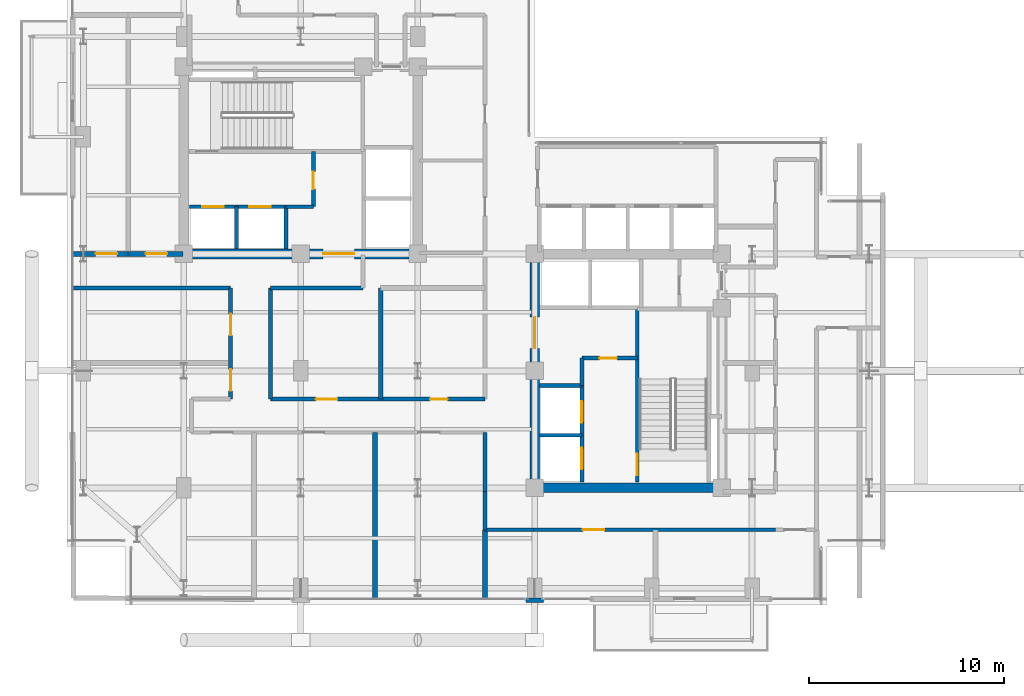
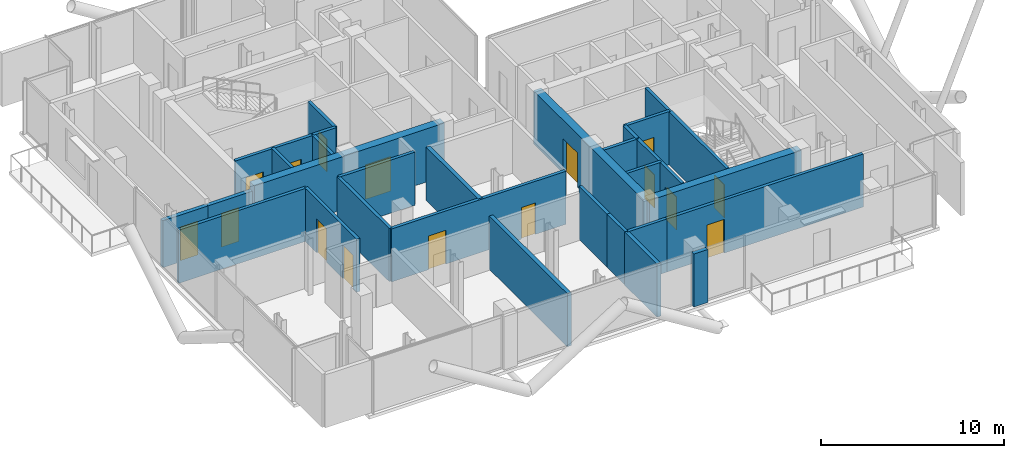
# One storey, part 20 of 26: 29 walls, 16 doors, 16 openings.
"""IFC4 building model written with IfcOpenShell, lengths in metres."""

from ifc_helpers import new_model, si_unit, direction, frame, frame_2d, origin, place, context, subcontext, project, spatial, rectangle, extrude, material, layer, layer_set, type_object, element, fill, save


model = new_model("IFC4")

# Units and contexts
model_context = context("Model", 3, precision=1e-05, world=origin(), true_north=direction((0.0, 1.0)))
body_context = subcontext(model_context, "Body", "Model", "MODEL_VIEW")
ifc_project = project(units=[si_unit("LENGTHUNIT", "METRE"), si_unit("AREAUNIT", "SQUARE_METRE"), si_unit("VOLUMEUNIT", "CUBIC_METRE"), si_unit("PLANEANGLEUNIT", "RADIAN"), si_unit("MASSUNIT", "GRAM", prefix="KILO"), si_unit("THERMODYNAMICTEMPERATUREUNIT", "KELVIN"), si_unit("POWERUNIT", "WATT")], contexts=[model_context])

# Site, building, storey
site_placement = place(None, origin())
site = spatial("IfcSite", under=ifc_project, at=site_placement, CompositionType="ELEMENT")
building_placement = place(site_placement, origin())
building = spatial("IfcBuilding", under=site, at=building_placement, Name="Svarakhadi Broadcast Tower", CompositionType="ELEMENT")
storey_placement = place(building_placement, frame((0.0, 0.0, 184.199951171875)))
storey = spatial("IfcBuildingStorey", under=building, at=storey_placement, Name="L45", CompositionType="ELEMENT", Elevation=184.199951171875)

# Wall
ifc_material_1 = material(Name="Double-Stud Acoustic Studio Partition STC-62", Category="gypsum")
ifc_layer_1 = layer(ifc_material_1, 0.25)
ifc_layer_set_1 = layer_set([ifc_layer_1], Name="Double-Stud Acoustic Studio Partition STC-62")
wall_type_1 = type_object("IfcWallType", Name="Wall_Acoust_250", PredefinedType="PARTITIONING", material=ifc_layer_set_1)
wall_1_placement = place(storey_placement, frame((16.10009765625, 10.550048828125, 0.0), z_axis=(0.0, 0.0, 1.0), x_axis=(0.0, 1.0, 0.0)))
element("IfcWall", 1, at=wall_1_placement, inside=storey, type_object=wall_type_1, Name="L45 Central Review Briefing Pod Wall", PredefinedType="PARTITIONING", context=body_context, shape_type="SweptSolid", body=[
    extrude(rectangle(XDim=5.699951171875, YDim=0.25, at=frame_2d((2.85009765625, 0.0))), origin(), (0.0, 0.0, 1.0), 3.5400390625),
])

# Wall, opening, door
wall_2_placement = place(storey_placement, frame((0.300048828125, 18.0, 0.0), z_axis=(0.0, 0.0, 1.0), x_axis=(1.0, 0.0, 0.0)))
wall_2 = element("IfcWall", 2, at=wall_2_placement, inside=storey, type_object=wall_type_1, Name="L45 Diplomatic Sunset Lounge Wall", PredefinedType="PARTITIONING", context=body_context, shape_type="SweptSolid", body=[
    extrude(rectangle(XDim=2.849853515625, YDim=0.25, at=frame_2d((1.4248046875, 0.0))), origin(), (0.0, 0.0, 1.0), 3.132080078125),
])
opening_1_placement = place(wall_2_placement, frame((1.179931640625, 0.0, 0.0)))
opening_1 = element("IfcOpeningElement", 3, at=opening_1_placement, cuts=wall_2, Name="Opening D-11", PredefinedType="OPENING", context=body_context, shape_type="SweptSolid", body=[
    extrude(rectangle(XDim=1.10009765625, YDim=2.25, at=frame_2d((0.550048828125, 1.125))), frame((0.0, 0.135009765625, 0.0), z_axis=(0.0, -1.0, 0.0), x_axis=(1.0, 0.0, 0.0)), (0.0, 0.0, 1.0), 0.27001953125),
])
ifc_material_2 = material(Name="Solid-Core Teak Veneer Acoustic Timber Leaf", Category="wood")
door_type_1 = type_object("IfcDoorType", Name="Door_Acoust_D11", OperationType="SINGLE_SWING_RIGHT", PredefinedType="DOOR", material=ifc_material_2)
door_1_placement = place(opening_1_placement, origin())
door_1 = element("IfcDoor", 4, at=door_1_placement, inside=storey, type_object=door_type_1, Name="L45 Diplomatic Sunset Lounge Door", OperationType="SINGLE_SWING_RIGHT", OverallHeight=2.25, OverallWidth=1.10009765625, PredefinedType="DOOR", context=body_context, shape_type="SweptSolid", body=[
    extrude(rectangle(XDim=1.10009765625, YDim=2.25, at=frame_2d((0.550048828125, 1.125))), frame((0.0, 0.02490234375, 0.0), z_axis=(0.0, -1.0, 0.0), x_axis=(1.0, 0.0, 0.0)), (0.0, 0.0, 1.0), 0.050048828125),
])
fill(opening_1, door_1)

wall_3_placement = place(storey_placement, frame((3.14990234375, 18.0, 0.0), z_axis=(0.0, 0.0, 1.0), x_axis=(1.0, 0.0, 0.0)))
wall_3 = element("IfcWall", 5, at=wall_3_placement, inside=storey, type_object=wall_type_1, Name="L45 Ambassador Protocol Study Wall", PredefinedType="PARTITIONING", context=body_context, shape_type="SweptSolid", body=[
    extrude(rectangle(XDim=2.800048828125, YDim=0.25, at=frame_2d((1.39990234375, 0.0))), origin(), (0.0, 0.0, 1.0), 3.132080078125),
])
opening_2_placement = place(wall_3_placement, frame((0.89990234375, 0.0, 0.0)))
opening_2 = element("IfcOpeningElement", 6, at=opening_2_placement, cuts=wall_3, Name="Opening D-10", PredefinedType="OPENING", context=body_context, shape_type="SweptSolid", body=[
    extrude(rectangle(XDim=1.10009765625, YDim=2.25, at=frame_2d((0.550048828125, 1.125))), frame((0.0, 0.135009765625, 0.0), z_axis=(0.0, -1.0, 0.0), x_axis=(1.0, 0.0, 0.0)), (0.0, 0.0, 1.0), 0.27001953125),
])
door_type_2 = type_object("IfcDoorType", Name="Door_Acoust_D10", OperationType="SINGLE_SWING_LEFT", PredefinedType="DOOR", material=ifc_material_2)
door_2_placement = place(opening_2_placement, origin())
door_2 = element("IfcDoor", 7, at=door_2_placement, inside=storey, type_object=door_type_2, Name="L45 Ambassador Protocol Study Door", OperationType="SINGLE_SWING_LEFT", OverallHeight=2.25, OverallWidth=1.10009765625, PredefinedType="DOOR", context=body_context, shape_type="SweptSolid", body=[
    extrude(rectangle(XDim=1.10009765625, YDim=2.25, at=frame_2d((0.550048828125, 1.125))), frame((0.0, 0.02490234375, 0.0), z_axis=(0.0, -1.0, 0.0), x_axis=(1.0, 0.0, 0.0)), (0.0, 0.0, 1.0), 0.050048828125),
])
fill(opening_2, door_2)

# Walls
wall_4_placement = place(storey_placement, frame((21.449951171875, 0.300048828125, 0.0), z_axis=(0.0, 0.0, 1.0), x_axis=(0.0, 1.0, 0.0)))
element("IfcWall", 8, at=wall_4_placement, inside=storey, type_object=wall_type_1, Name="L45 Hotel Business Centre Office Wall", PredefinedType="PARTITIONING", context=body_context, shape_type="SweptSolid", body=[
    extrude(rectangle(XDim=3.550048828125, YDim=0.25, at=frame_2d((1.77490234375, 0.0))), origin(), (0.0, 0.0, 1.0), 3.5400390625),
])
wall_5_placement = place(storey_placement, frame((15.800048828125, 0.300048828125, 0.0), z_axis=(0.0, 0.0, 1.0), x_axis=(0.0, 1.0, 0.0)))
element("IfcWall", 9, at=wall_5_placement, inside=storey, type_object=wall_type_1, Name="L45 Hotel Diplomatic Boardroom Wall", PredefinedType="PARTITIONING", context=body_context, shape_type="SweptSolid", body=[
    extrude(rectangle(XDim=8.550048828125, YDim=0.25, at=frame_2d((4.27490234375, 0.0))), origin(), (0.0, 0.0, 1.0), 3.5400390625),
])
ifc_material_3 = material(Name="Concrete C40/50 (IS 456 M50)", Category="concrete")
ifc_layer_2 = layer(ifc_material_3, 0.239990234375)
ifc_layer_set_2 = layer_set([ifc_layer_2], Name="Concrete C40/50 (IS 456 M50)")
wall_type_2 = type_object("IfcWallType", Name="Wall_Ext_240", PredefinedType="SOLIDWALL", material=ifc_layer_set_2)
wall_6_placement = place(storey_placement, frame((24.43994140625, 0.239990234375, 0.0), z_axis=(0.0, 0.0, 1.0), x_axis=(-1.0, 0.0, 0.0)))
element("IfcWall", 10, at=wall_6_placement, inside=storey, type_object=wall_type_2, Name="L45 Perimeter Bronze Spandrel Closure Wall 03", PredefinedType="SOLIDWALL", context=body_context, shape_type="SweptSolid", body=[
    extrude(rectangle(XDim=0.8798828125, YDim=0.239990234375, at=frame_2d((0.43994140625, 0.0))), origin(), (0.0, 0.0, 1.0), 3.5400390625),
])

# Wall, opening, door
ifc_layer_3 = layer(ifc_material_3, 0.199951171875)
ifc_layer_set_3 = layer_set([ifc_layer_3], Name="Concrete C40/50 (IS 456 M50)")
wall_type_3 = type_object("IfcWallType", Name="Wall_Fire_200", PredefinedType="SOLIDWALL", material=ifc_layer_set_3)
wall_7_placement = place(storey_placement, frame((36.35009765625, 3.85009765625, 0.0), z_axis=(0.0, 0.0, 1.0), x_axis=(-1.0, 0.0, 0.0)))
wall_7 = element("IfcWall", 11, at=wall_7_placement, inside=storey, type_object=wall_type_3, Name="L45 Zone 2/3 Corridor Wall", PredefinedType="SOLIDWALL", context=body_context, shape_type="SweptSolid", body=[
    extrude(rectangle(XDim=12.400146484375, YDim=0.199951171875, at=frame_2d((6.2001953125, 0.0))), origin(), (0.0, 0.0, 1.0), 3.5400390625),
])
opening_3_placement = place(wall_7_placement, frame((8.77490234375, 0.0, 0.0)))
opening_3 = element("IfcOpeningElement", 12, at=opening_3_placement, cuts=wall_7, Name="Opening D-11", PredefinedType="OPENING", context=body_context, shape_type="SweptSolid", body=[
    extrude(rectangle(XDim=1.10009765625, YDim=2.25, at=frame_2d((0.550048828125, 1.125))), frame((0.0, 0.10986328125, 0.0), z_axis=(0.0, -1.0, 0.0), x_axis=(1.0, 0.0, 0.0)), (0.0, 0.0, 1.0), 0.219970703125),
])
door_3_placement = place(opening_3_placement, origin())
door_3 = element("IfcDoor", 13, at=door_3_placement, inside=storey, type_object=door_type_1, Name="L45 Hotel Business Centre Office Door", OperationType="SINGLE_SWING_RIGHT", OverallHeight=2.25, OverallWidth=1.10009765625, PredefinedType="DOOR", context=body_context, shape_type="SweptSolid", body=[
    extrude(rectangle(XDim=1.10009765625, YDim=2.25, at=frame_2d((0.550048828125, 1.125))), frame((0.0, 0.02490234375, 0.0), z_axis=(0.0, -1.0, 0.0), x_axis=(1.0, 0.0, 0.0)), (0.0, 0.0, 1.0), 0.050048828125),
])
fill(opening_3, door_3)

# Walls
wall_8_placement = place(storey_placement, frame((23.949951171875, 3.85009765625, 0.0), z_axis=(0.0, 0.0, 1.0), x_axis=(-1.0, 0.0, 0.0)))
element("IfcWall", 14, at=wall_8_placement, inside=storey, type_object=wall_type_3, Name="L45 Zone 2/3 Corridor Wall", PredefinedType="SOLIDWALL", context=body_context, shape_type="SweptSolid", body=[
    extrude(rectangle(XDim=2.5, YDim=0.199951171875, at=frame_2d((1.25, 0.0))), origin(), (0.0, 0.0, 1.0), 3.5400390625),
])
wall_9_placement = place(storey_placement, frame((21.449951171875, 3.85009765625, 0.0), z_axis=(0.0, 0.0, 1.0), x_axis=(0.0, 1.0, 0.0)))
element("IfcWall", 15, at=wall_9_placement, inside=storey, type_object=wall_type_3, Name="L45 Zone 2/3 Corridor Wall", PredefinedType="SOLIDWALL", context=body_context, shape_type="SweptSolid", body=[
    extrude(rectangle(XDim=1.949951171875, YDim=0.199951171875, at=frame_2d((0.97509765625, 0.0))), origin(), (0.0, 0.0, 1.0), 3.5400390625),
])
wall_10_placement = place(storey_placement, frame((21.449951171875, 5.800048828125, 0.0), z_axis=(0.0, 0.0, 1.0), x_axis=(0.0, 1.0, 0.0)))
element("IfcWall", 16, at=wall_10_placement, inside=storey, type_object=wall_type_3, Name="L45 Zone 2/3 Corridor Wall", PredefinedType="SOLIDWALL", context=body_context, shape_type="SweptSolid", body=[
    extrude(rectangle(XDim=3.050048828125, YDim=0.199951171875, at=frame_2d((1.52490234375, 0.0))), origin(), (0.0, 0.0, 1.0), 3.5400390625),
])

# Wall, openings, doors
wall_11_placement = place(storey_placement, frame((8.39990234375, 10.550048828125, 0.0), z_axis=(0.0, 0.0, 1.0), x_axis=(0.0, 1.0, 0.0)))
wall_11 = element("IfcWall", 17, at=wall_11_placement, inside=storey, type_object=wall_type_3, Name="L45 Zone 2/3 Corridor Wall", PredefinedType="SOLIDWALL", context=body_context, shape_type="SweptSolid", body=[
    extrude(rectangle(XDim=5.699951171875, YDim=0.199951171875, at=frame_2d((2.85009765625, 0.0))), origin(), (0.0, 0.0, 1.0), 3.5400390625),
])
opening_4_placement = place(wall_11_placement, frame((0.425048828125, 0.0, 0.0)))
opening_4 = element("IfcOpeningElement", 18, at=opening_4_placement, cuts=wall_11, Name="Opening D-11", PredefinedType="OPENING", context=body_context, shape_type="SweptSolid", body=[
    extrude(rectangle(XDim=1.10009765625, YDim=2.25, at=frame_2d((0.550048828125, 1.125))), frame((0.0, 0.10986328125, 0.0), z_axis=(0.0, -1.0, 0.0), x_axis=(1.0, 0.0, 0.0)), (0.0, 0.0, 1.0), 0.219970703125),
])
opening_5_placement = place(wall_11_placement, frame((3.27490234375, 0.0, 0.0)))
opening_5 = element("IfcOpeningElement", 19, at=opening_5_placement, cuts=wall_11, Name="Opening D-10", PredefinedType="OPENING", context=body_context, shape_type="SweptSolid", body=[
    extrude(rectangle(XDim=1.10009765625, YDim=2.25, at=frame_2d((0.550048828125, 1.125))), frame((0.0, 0.10986328125, 0.0), z_axis=(0.0, -1.0, 0.0), x_axis=(1.0, 0.0, 0.0)), (0.0, 0.0, 1.0), 0.219970703125),
])
door_4_placement = place(opening_5_placement, origin())
door_4 = element("IfcDoor", 20, at=door_4_placement, inside=storey, type_object=door_type_2, Name="L45 VIP Cigar and Reading Lounge Door", OperationType="SINGLE_SWING_LEFT", OverallHeight=2.25, OverallWidth=1.10009765625, PredefinedType="DOOR", context=body_context, shape_type="SweptSolid", body=[
    extrude(rectangle(XDim=1.10009765625, YDim=2.25, at=frame_2d((0.550048828125, 1.125))), frame((0.0, 0.02490234375, 0.0), z_axis=(0.0, -1.0, 0.0), x_axis=(1.0, 0.0, 0.0)), (0.0, 0.0, 1.0), 0.050048828125),
])
fill(opening_5, door_4)
door_5_placement = place(opening_4_placement, origin())
door_5 = element("IfcDoor", 21, at=door_5_placement, inside=storey, type_object=door_type_1, Name="L45 Club Floor Pantry Kitchen Door", OperationType="SINGLE_SWING_RIGHT", OverallHeight=2.25, OverallWidth=1.10009765625, PredefinedType="DOOR", context=body_context, shape_type="SweptSolid", body=[
    extrude(rectangle(XDim=1.10009765625, YDim=2.25, at=frame_2d((0.550048828125, 1.125))), frame((0.0, 0.02490234375, 0.0), z_axis=(0.0, -1.0, 0.0), x_axis=(1.0, 0.0, 0.0)), (0.0, 0.0, 1.0), 0.050048828125),
])
fill(opening_4, door_5)

# Walls
wall_12_placement = place(storey_placement, frame((8.39990234375, 16.25, 0.0), z_axis=(0.0, 0.0, 1.0), x_axis=(-1.0, 0.0, 0.0)))
element("IfcWall", 22, at=wall_12_placement, inside=storey, type_object=wall_type_3, Name="L45 Zone 2/3 Corridor Wall", PredefinedType="SOLIDWALL", context=body_context, shape_type="SweptSolid", body=[
    extrude(rectangle(XDim=8.099853515625, YDim=0.199951171875, at=frame_2d((4.0498046875, 0.0))), origin(), (0.0, 0.0, 1.0), 3.5400390625),
])
wall_13_placement = place(storey_placement, frame((15.199951171875, 16.25, 0.0), z_axis=(0.0, 0.0, 1.0), x_axis=(-1.0, 0.0, 0.0)))
element("IfcWall", 23, at=wall_13_placement, inside=storey, type_object=wall_type_3, Name="L45 Zone 2/3 Corridor Wall", PredefinedType="SOLIDWALL", context=body_context, shape_type="SweptSolid", body=[
    extrude(rectangle(XDim=4.75, YDim=0.199951171875, at=frame_2d((2.375, 0.0))), origin(), (0.0, 0.0, 1.0), 3.5400390625),
])
wall_14_placement = place(storey_placement, frame((10.449951171875, 16.25, 0.0), z_axis=(0.0, 0.0, 1.0), x_axis=(0.0, -1.0, 0.0)))
element("IfcWall", 24, at=wall_14_placement, inside=storey, type_object=wall_type_3, Name="L45 Zone 2/3 Corridor Wall", PredefinedType="SOLIDWALL", context=body_context, shape_type="SweptSolid", body=[
    extrude(rectangle(XDim=5.699951171875, YDim=0.199951171875, at=frame_2d((2.85009765625, 0.0))), origin(), (0.0, 0.0, 1.0), 3.5400390625),
])

# Wall, openings, doors
wall_15_placement = place(storey_placement, frame((10.449951171875, 10.550048828125, 0.0), z_axis=(0.0, 0.0, 1.0), x_axis=(1.0, 0.0, 0.0)))
wall_15 = element("IfcWall", 25, at=wall_15_placement, inside=storey, type_object=wall_type_3, Name="L45 Zone 2/3 Corridor Wall", PredefinedType="SOLIDWALL", context=body_context, shape_type="SweptSolid", body=[
    extrude(rectangle(XDim=11.0, YDim=0.199951171875, at=frame_2d((5.5, 0.0))), origin(), (0.0, 0.0, 1.0), 3.5400390625),
])
opening_6_placement = place(wall_15_placement, frame((2.324951171875, 0.0, 0.0)))
opening_6 = element("IfcOpeningElement", 26, at=opening_6_placement, cuts=wall_15, Name="Opening D-11", PredefinedType="OPENING", context=body_context, shape_type="SweptSolid", body=[
    extrude(rectangle(XDim=1.10009765625, YDim=2.25, at=frame_2d((0.550048828125, 1.125))), frame((0.0, 0.10986328125, 0.0), z_axis=(0.0, -1.0, 0.0), x_axis=(1.0, 0.0, 0.0)), (0.0, 0.0, 1.0), 0.219970703125),
])
opening_7_placement = place(wall_15_placement, frame((8.179931640625, 0.0, 0.0)))
opening_7 = element("IfcOpeningElement", 27, at=opening_7_placement, cuts=wall_15, Name="Opening D-12", PredefinedType="OPENING", context=body_context, shape_type="SweptSolid", body=[
    extrude(rectangle(XDim=0.89990234375, YDim=2.10009765625, at=frame_2d((0.449951171875, 1.050048828125))), frame((0.0, 0.10986328125, 0.0), z_axis=(0.0, -1.0, 0.0), x_axis=(1.0, 0.0, 0.0)), (0.0, 0.0, 1.0), 0.219970703125),
])
door_6_placement = place(opening_6_placement, origin())
door_6 = element("IfcDoor", 28, at=door_6_placement, inside=storey, type_object=door_type_1, Name="L45 Central Review Briefing Pod Door", OperationType="SINGLE_SWING_RIGHT", OverallHeight=2.25, OverallWidth=1.10009765625, PredefinedType="DOOR", context=body_context, shape_type="SweptSolid", body=[
    extrude(rectangle(XDim=1.10009765625, YDim=2.25, at=frame_2d((0.550048828125, 1.125))), frame((0.0, 0.02490234375, 0.0), z_axis=(0.0, -1.0, 0.0), x_axis=(1.0, 0.0, 0.0)), (0.0, 0.0, 1.0), 0.050048828125),
])
fill(opening_6, door_6)
door_type_3 = type_object("IfcDoorType", Name="Door_WC_D01", OperationType="SINGLE_SWING_LEFT", PredefinedType="DOOR", material=ifc_material_2)
door_7_placement = place(opening_7_placement, origin())
door_7 = element("IfcDoor", 29, at=door_7_placement, inside=storey, type_object=door_type_3, Name="L45 Accessible Floor Washroom WC Door", OperationType="SINGLE_SWING_LEFT", OverallHeight=2.10009765625, OverallWidth=0.89990234375, PredefinedType="DOOR", context=body_context, shape_type="SweptSolid", body=[
    extrude(rectangle(XDim=0.89990234375, YDim=2.10009765625, at=frame_2d((0.449951171875, 1.050048828125))), frame((0.0, 0.02490234375, 0.0), z_axis=(0.0, -1.0, 0.0), x_axis=(1.0, 0.0, 0.0)), (0.0, 0.0, 1.0), 0.050048828125),
])
fill(opening_7, door_7)

# Wall, opening, door
ifc_material_4 = material(Name="Concrete C50/60 (IS 456 M60)", Category="concrete")
ifc_layer_4 = layer(ifc_material_4, 0.199951171875)
ifc_layer_set_4 = layer_set([ifc_layer_4], Name="Concrete C50/60 (IS 456 M60)")
wall_type_4 = type_object("IfcWallType", Name="Wall_Shear_200", PredefinedType="SHEAR", material=ifc_layer_set_4)
wall_16_placement = place(storey_placement, frame((29.260009765625, 6.300048828125, 0.0), z_axis=(0.0, 0.0, 1.0), x_axis=(0.0, 1.0, 0.0)))
wall_16 = element("IfcWall", 30, at=wall_16_placement, inside=storey, type_object=wall_type_4, Name="L45 Stair ST-02 West RC Shaft Wall", PredefinedType="SHEAR", context=body_context, shape_type="SweptSolid", body=[
    extrude(rectangle(XDim=8.8798828125, YDim=0.199951171875, at=frame_2d((4.43994140625, 0.0))), origin(), (0.0, 0.0, 1.0), 3.5400390625),
])
opening_8_placement = place(wall_16_placement, frame((0.35009765625, 0.0, 0.0)))
opening_8 = element("IfcOpeningElement", 31, at=opening_8_placement, cuts=wall_16, Name="Opening D-02", PredefinedType="OPENING", context=body_context, shape_type="SweptSolid", body=[
    extrude(rectangle(XDim=1.10009765625, YDim=2.199951171875, at=frame_2d((0.550048828125, 1.10009765625))), frame((0.0, 0.10986328125, 0.0), z_axis=(0.0, -1.0, 0.0), x_axis=(1.0, 0.0, 0.0)), (0.0, 0.0, 1.0), 0.219970703125),
])
ifc_material_5 = material(Name="Galvanised Powder-Coated Fire-Rated Steel Leaf", Category="steel")
door_type_4 = type_object("IfcDoorType", Name="Door_Stair_D02", OperationType="SINGLE_SWING_RIGHT", PredefinedType="DOOR", material=ifc_material_5)
door_8_placement = place(opening_8_placement, origin())
door_8 = element("IfcDoor", 32, at=door_8_placement, inside=storey, type_object=door_type_4, Name="L45 Protected Exit Stair ST-02 Fire Door", OperationType="SINGLE_SWING_RIGHT", OverallHeight=2.199951171875, OverallWidth=1.10009765625, PredefinedType="DOOR", context=body_context, shape_type="SweptSolid", body=[
    extrude(rectangle(XDim=1.10009765625, YDim=2.199951171875, at=frame_2d((0.550048828125, 1.10009765625))), frame((0.0, 0.02490234375, 0.0), z_axis=(0.0, -1.0, 0.0), x_axis=(1.0, 0.0, 0.0)), (0.0, 0.0, 1.0), 0.050048828125),
])
fill(opening_8, door_8)

# Wall, openings, doors
wall_17_placement = place(storey_placement, frame((6.300048828125, 20.419921875, 0.0), z_axis=(0.0, 0.0, 1.0), x_axis=(1.0, 0.0, 0.0)))
wall_17 = element("IfcWall", 33, at=wall_17_placement, inside=storey, type_object=wall_type_4, Name="L45 Firefighting Lift LF-01/02 Shaft Wall", PredefinedType="SHEAR", context=body_context, shape_type="SweptSolid", body=[
    extrude(rectangle(XDim=4.949951171875, YDim=0.199951171875, at=frame_2d((2.47509765625, 0.0))), origin(), (0.0, 0.0, 1.0), 3.5400390625),
])
opening_9_placement = place(wall_17_placement, frame((0.64990234375, 0.0, 0.0)))
opening_9 = element("IfcOpeningElement", 34, at=opening_9_placement, cuts=wall_17, Name="Opening LD-01", PredefinedType="OPENING", context=body_context, shape_type="SweptSolid", body=[
    extrude(rectangle(XDim=1.10009765625, YDim=2.199951171875, at=frame_2d((0.550048828125, 1.10009765625))), frame((0.0, 0.10986328125, 0.0), z_axis=(0.0, -1.0, 0.0), x_axis=(1.0, 0.0, 0.0)), (0.0, 0.0, 1.0), 0.219970703125),
])
opening_10_placement = place(wall_17_placement, frame((3.050048828125, 0.0, 0.0)))
opening_10 = element("IfcOpeningElement", 35, at=opening_10_placement, cuts=wall_17, Name="Opening LD-01", PredefinedType="OPENING", context=body_context, shape_type="SweptSolid", body=[
    extrude(rectangle(XDim=1.10009765625, YDim=2.199951171875, at=frame_2d((0.550048828125, 1.10009765625))), frame((0.0, 0.10986328125, 0.0), z_axis=(0.0, -1.0, 0.0), x_axis=(1.0, 0.0, 0.0)), (0.0, 0.0, 1.0), 0.219970703125),
])
door_type_5 = type_object("IfcDoorType", Name="Door_Lift_LD01", OperationType="SLIDING_TO_LEFT", PredefinedType="DOOR", material=ifc_material_5)
door_9_placement = place(opening_9_placement, origin())
door_9 = element("IfcDoor", 36, at=door_9_placement, inside=storey, type_object=door_type_5, Name="L45 Firefighting Lift LF-01 Landing Door", OperationType="SLIDING_TO_LEFT", OverallHeight=2.199951171875, OverallWidth=1.10009765625, PredefinedType="DOOR", context=body_context, shape_type="SweptSolid", body=[
    extrude(rectangle(XDim=1.10009765625, YDim=2.199951171875, at=frame_2d((0.550048828125, 1.10009765625))), frame((0.0, 0.02490234375, 0.0), z_axis=(0.0, -1.0, 0.0), x_axis=(1.0, 0.0, 0.0)), (0.0, 0.0, 1.0), 0.050048828125),
])
fill(opening_9, door_9)
door_10_placement = place(opening_10_placement, origin())
door_10 = element("IfcDoor", 37, at=door_10_placement, inside=storey, type_object=door_type_5, Name="L45 Firefighting Lift LF-02 Landing Door", OperationType="SLIDING_TO_LEFT", OverallHeight=2.199951171875, OverallWidth=1.10009765625, PredefinedType="DOOR", context=body_context, shape_type="SweptSolid", body=[
    extrude(rectangle(XDim=1.10009765625, YDim=2.199951171875, at=frame_2d((0.550048828125, 1.10009765625))), frame((0.0, 0.02490234375, 0.0), z_axis=(0.0, -1.0, 0.0), x_axis=(1.0, 0.0, 0.0)), (0.0, 0.0, 1.0), 0.050048828125),
])
fill(opening_10, door_10)

# Walls
for number, where, z_axis, x_axis, name in (
    (38, (8.699951171875, 18.25, 0.0), (0.0, 0.0, 1.0), (0.0, 1.0, 0.0), "L45 Firefighting Lift LF-01/02 Divider Wall"),
    (39, (11.25, 18.25, 0.0), (0.0, 0.0, 1.0), (0.0, 1.0, 0.0), "L45 Firefighting Lift LF-02 East Wall"),
):
    element("IfcWall", number, at=place(storey_placement, frame(where, z_axis=z_axis, x_axis=x_axis)), inside=storey, type_object=wall_type_4, Name=name, PredefinedType="SHEAR", context=body_context, shape_type="SweptSolid", body=[
        extrude(rectangle(XDim=2.169921875, YDim=0.199951171875, at=frame_2d((1.0849609375, 0.0))), origin(), (0.0, 0.0, 1.0), 3.5400390625),
    ])
wall_18_placement = place(storey_placement, frame((11.25, 20.419921875, 0.0), z_axis=(0.0, 0.0, 1.0), x_axis=(1.0, 0.0, 0.0)))
element("IfcWall", 40, at=wall_18_placement, inside=storey, type_object=wall_type_4, Name="L45 West Firefighting Lobby South Wall", PredefinedType="SHEAR", context=body_context, shape_type="SweptSolid", body=[
    extrude(rectangle(XDim=1.39990234375, YDim=0.199951171875, at=frame_2d((0.699951171875, 0.0))), origin(), (0.0, 0.0, 1.0), 3.5400390625),
])

# Wall, opening, door
wall_19_placement = place(storey_placement, frame((12.64990234375, 20.419921875, 0.0), z_axis=(0.0, 0.0, 1.0), x_axis=(0.0, 1.0, 0.0)))
wall_19 = element("IfcWall", 41, at=wall_19_placement, inside=storey, type_object=wall_type_4, Name="L45 West Firefighting Lobby East Wall", PredefinedType="SHEAR", context=body_context, shape_type="SweptSolid", body=[
    extrude(rectangle(XDim=2.840087890625, YDim=0.199951171875, at=frame_2d((1.419921875, 0.0))), origin(), (0.0, 0.0, 1.0), 3.5400390625),
])
opening_11_placement = place(wall_19_placement, frame((0.89990234375, 0.0, 0.0)))
opening_11 = element("IfcOpeningElement", 42, at=opening_11_placement, cuts=wall_19, Name="Opening D-03", PredefinedType="OPENING", context=body_context, shape_type="SweptSolid", body=[
    extrude(rectangle(XDim=0.89990234375, YDim=2.14990234375, at=frame_2d((0.449951171875, 1.074951171875))), frame((0.0, 0.10986328125, 0.0), z_axis=(0.0, -1.0, 0.0), x_axis=(1.0, 0.0, 0.0)), (0.0, 0.0, 1.0), 0.219970703125),
])
door_type_6 = type_object("IfcDoorType", Name="Door_Fire_D03", OperationType="SINGLE_SWING_LEFT", PredefinedType="DOOR", material=ifc_material_5)
door_11_placement = place(opening_11_placement, origin())
door_11 = element("IfcDoor", 43, at=door_11_placement, inside=storey, type_object=door_type_6, Name="L45 West Firefighting Lobby Fire Door", OperationType="SINGLE_SWING_LEFT", OverallHeight=2.14990234375, OverallWidth=0.89990234375, PredefinedType="DOOR", context=body_context, shape_type="SweptSolid", body=[
    extrude(rectangle(XDim=0.89990234375, YDim=2.14990234375, at=frame_2d((0.449951171875, 1.074951171875))), frame((0.0, 0.02490234375, 0.0), z_axis=(0.0, -1.0, 0.0), x_axis=(1.0, 0.0, 0.0)), (0.0, 0.0, 1.0), 0.050048828125),
])
fill(opening_11, door_11)

# Wall, openings, doors
wall_20_placement = place(storey_placement, frame((26.419921875, 6.300048828125, 0.0), z_axis=(0.0, 0.0, 1.0), x_axis=(0.0, 1.0, 0.0)))
wall_20 = element("IfcWall", 44, at=wall_20_placement, inside=storey, type_object=wall_type_4, Name="L45 Firefighting Lift LF-03/04 Shaft Wall", PredefinedType="SHEAR", context=body_context, shape_type="SweptSolid", body=[
    extrude(rectangle(XDim=4.949951171875, YDim=0.199951171875, at=frame_2d((2.47509765625, 0.0))), origin(), (0.0, 0.0, 1.0), 3.5400390625),
])
opening_12_placement = place(wall_20_placement, frame((0.64990234375, 0.0, 0.0)))
opening_12 = element("IfcOpeningElement", 45, at=opening_12_placement, cuts=wall_20, Name="Opening LD-01", PredefinedType="OPENING", context=body_context, shape_type="SweptSolid", body=[
    extrude(rectangle(XDim=1.10009765625, YDim=2.199951171875, at=frame_2d((0.550048828125, 1.10009765625))), frame((0.0, 0.10986328125, 0.0), z_axis=(0.0, -1.0, 0.0), x_axis=(1.0, 0.0, 0.0)), (0.0, 0.0, 1.0), 0.219970703125),
])
opening_13_placement = place(wall_20_placement, frame((3.050048828125, 0.0, 0.0)))
opening_13 = element("IfcOpeningElement", 46, at=opening_13_placement, cuts=wall_20, Name="Opening LD-01", PredefinedType="OPENING", context=body_context, shape_type="SweptSolid", body=[
    extrude(rectangle(XDim=1.10009765625, YDim=2.199951171875, at=frame_2d((0.550048828125, 1.10009765625))), frame((0.0, 0.10986328125, 0.0), z_axis=(0.0, -1.0, 0.0), x_axis=(1.0, 0.0, 0.0)), (0.0, 0.0, 1.0), 0.219970703125),
])
door_12_placement = place(opening_12_placement, origin())
door_12 = element("IfcDoor", 47, at=door_12_placement, inside=storey, type_object=door_type_5, Name="L45 Firefighting Lift LF-03 Landing Door", OperationType="SLIDING_TO_LEFT", OverallHeight=2.199951171875, OverallWidth=1.10009765625, PredefinedType="DOOR", context=body_context, shape_type="SweptSolid", body=[
    extrude(rectangle(XDim=1.10009765625, YDim=2.199951171875, at=frame_2d((0.550048828125, 1.10009765625))), frame((0.0, 0.02490234375, 0.0), z_axis=(0.0, -1.0, 0.0), x_axis=(1.0, 0.0, 0.0)), (0.0, 0.0, 1.0), 0.050048828125),
])
fill(opening_12, door_12)
door_13_placement = place(opening_13_placement, origin())
door_13 = element("IfcDoor", 48, at=door_13_placement, inside=storey, type_object=door_type_5, Name="L45 Firefighting Lift LF-04 Landing Door", OperationType="SLIDING_TO_LEFT", OverallHeight=2.199951171875, OverallWidth=1.10009765625, PredefinedType="DOOR", context=body_context, shape_type="SweptSolid", body=[
    extrude(rectangle(XDim=1.10009765625, YDim=2.199951171875, at=frame_2d((0.550048828125, 1.10009765625))), frame((0.0, 0.02490234375, 0.0), z_axis=(0.0, -1.0, 0.0), x_axis=(1.0, 0.0, 0.0)), (0.0, 0.0, 1.0), 0.050048828125),
])
fill(opening_13, door_13)

# Walls
for number, where, z_axis, x_axis, name in (
    (49, (24.25, 8.699951171875, 0.0), (0.0, 0.0, 1.0), (1.0, 0.0, 0.0), "L45 Firefighting Lift LF-03/04 Divider Wall"),
    (50, (24.25, 11.25, 0.0), (0.0, 0.0, 1.0), (1.0, 0.0, 0.0), "L45 Firefighting Lift LF-04 North Wall"),
):
    element("IfcWall", number, at=place(storey_placement, frame(where, z_axis=z_axis, x_axis=x_axis)), inside=storey, type_object=wall_type_4, Name=name, PredefinedType="SHEAR", context=body_context, shape_type="SweptSolid", body=[
        extrude(rectangle(XDim=2.169921875, YDim=0.199951171875, at=frame_2d((1.0849609375, 0.0))), origin(), (0.0, 0.0, 1.0), 3.5400390625),
    ])
wall_21_placement = place(storey_placement, frame((26.419921875, 11.25, 0.0), z_axis=(0.0, 0.0, 1.0), x_axis=(0.0, 1.0, 0.0)))
element("IfcWall", 51, at=wall_21_placement, inside=storey, type_object=wall_type_4, Name="L45 East Firefighting Lobby West Wall", PredefinedType="SHEAR", context=body_context, shape_type="SweptSolid", body=[
    extrude(rectangle(XDim=1.39990234375, YDim=0.199951171875, at=frame_2d((0.699951171875, 0.0))), origin(), (0.0, 0.0, 1.0), 3.5400390625),
])

# Wall, opening, door
wall_22_placement = place(storey_placement, frame((26.419921875, 12.64990234375, 0.0), z_axis=(0.0, 0.0, 1.0), x_axis=(1.0, 0.0, 0.0)))
wall_22 = element("IfcWall", 52, at=wall_22_placement, inside=storey, type_object=wall_type_4, Name="L45 East Firefighting Lobby North Wall", PredefinedType="SHEAR", context=body_context, shape_type="SweptSolid", body=[
    extrude(rectangle(XDim=2.840087890625, YDim=0.199951171875, at=frame_2d((1.419921875, 0.0))), origin(), (0.0, 0.0, 1.0), 3.5400390625),
])
opening_14_placement = place(wall_22_placement, frame((0.89990234375, 0.0, 0.0)))
opening_14 = element("IfcOpeningElement", 53, at=opening_14_placement, cuts=wall_22, Name="Opening D-04", PredefinedType="OPENING", context=body_context, shape_type="SweptSolid", body=[
    extrude(rectangle(XDim=0.89990234375, YDim=2.14990234375, at=frame_2d((0.449951171875, 1.074951171875))), frame((0.0, 0.10986328125, 0.0), z_axis=(0.0, -1.0, 0.0), x_axis=(1.0, 0.0, 0.0)), (0.0, 0.0, 1.0), 0.219970703125),
])
door_type_7 = type_object("IfcDoorType", Name="Door_Fire_D04", OperationType="SINGLE_SWING_RIGHT", PredefinedType="DOOR", material=ifc_material_5)
door_14_placement = place(opening_14_placement, origin())
door_14 = element("IfcDoor", 54, at=door_14_placement, inside=storey, type_object=door_type_7, Name="L45 East Firefighting Lobby Fire Door", OperationType="SINGLE_SWING_RIGHT", OverallHeight=2.14990234375, OverallWidth=0.89990234375, PredefinedType="DOOR", context=body_context, shape_type="SweptSolid", body=[
    extrude(rectangle(XDim=0.89990234375, YDim=2.14990234375, at=frame_2d((0.449951171875, 1.074951171875))), frame((0.0, 0.02490234375, 0.0), z_axis=(0.0, -1.0, 0.0), x_axis=(1.0, 0.0, 0.0)), (0.0, 0.0, 1.0), 0.050048828125),
])
fill(opening_14, door_14)

ifc_layer_5 = layer(ifc_material_4, 0.5)
ifc_layer_set_5 = layer_set([ifc_layer_5], Name="Concrete C50/60 (IS 456 M60)")
wall_type_5 = type_object("IfcWallType", Name="Wall_Shear_500", PredefinedType="SHEAR", material=ifc_layer_set_5)
wall_23_placement = place(storey_placement, frame((6.0, 18.0, 0.0), z_axis=(0.0, 0.0, 1.0), x_axis=(1.0, 0.0, 0.0)))
wall_23 = element("IfcWall", 55, at=wall_23_placement, inside=storey, type_object=wall_type_5, Name="L45 West Core South Shear Wall", PredefinedType="SHEAR", context=body_context, shape_type="SweptSolid", body=[
    extrude(rectangle(XDim=12.0, YDim=0.5, at=frame_2d((6.0, 0.0))), origin(), (0.0, 0.0, 1.0), 3.5400390625),
])
opening_15_placement = place(wall_23_placement, frame((7.14990234375, 0.0, 0.0)))
opening_15 = element("IfcOpeningElement", 56, at=opening_15_placement, cuts=wall_23, Name="Opening D-05", PredefinedType="OPENING", context=body_context, shape_type="SweptSolid", body=[
    extrude(rectangle(XDim=1.60009765625, YDim=2.300048828125, at=frame_2d((0.800048828125, 1.14990234375))), frame((0.0, 0.260009765625, 0.0), z_axis=(0.0, -1.0, 0.0), x_axis=(1.0, 0.0, 0.0)), (0.0, 0.0, 1.0), 0.52001953125),
])
ifc_material_6 = material(Name="Anodised Bronze Aluminium AA 6063-T6", Category="aluminium")
door_type_8 = type_object("IfcDoorType", Name="Door_Lobby_D05", OperationType="DOUBLE_DOOR_SLIDING", PredefinedType="DOOR", material=ifc_material_6)
door_15_placement = place(opening_15_placement, origin())
door_15 = element("IfcDoor", 57, at=door_15_placement, inside=storey, type_object=door_type_8, Name="L45 West Core Passenger Lift Lobby Entrance Door", OperationType="DOUBLE_DOOR_SLIDING", OverallHeight=2.300048828125, OverallWidth=1.60009765625, PredefinedType="DOOR", context=body_context, shape_type="SweptSolid", body=[
    extrude(rectangle(XDim=1.60009765625, YDim=2.300048828125, at=frame_2d((0.800048828125, 1.14990234375))), frame((0.0, 0.02490234375, 0.0), z_axis=(0.0, -1.0, 0.0), x_axis=(1.0, 0.0, 0.0)), (0.0, 0.0, 1.0), 0.050048828125),
])
fill(opening_15, door_15)

# Wall
wall_24_placement = place(storey_placement, frame((24.0, 6.0, 0.0), z_axis=(0.0, 0.0, 1.0), x_axis=(1.0, 0.0, 0.0)))
element("IfcWall", 58, at=wall_24_placement, inside=storey, type_object=wall_type_5, Name="L45 East Core South Shear Wall", PredefinedType="SHEAR", context=body_context, shape_type="SweptSolid", body=[
    extrude(rectangle(XDim=9.60009765625, YDim=0.5, at=frame_2d((4.800048828125, 0.0))), origin(), (0.0, 0.0, 1.0), 3.5400390625),
])

# Wall, opening, door
wall_25_placement = place(storey_placement, frame((24.0, 6.0, 0.0), z_axis=(0.0, 0.0, 1.0), x_axis=(0.0, 1.0, 0.0)))
wall_25 = element("IfcWall", 59, at=wall_25_placement, inside=storey, type_object=wall_type_5, Name="L45 East Core West Shear Wall", PredefinedType="SHEAR", context=body_context, shape_type="SweptSolid", body=[
    extrude(rectangle(XDim=12.0, YDim=0.5, at=frame_2d((6.0, 0.0))), origin(), (0.0, 0.0, 1.0), 3.5400390625),
])
opening_16_placement = place(wall_25_placement, frame((7.14990234375, 0.0, 0.0)))
opening_16 = element("IfcOpeningElement", 60, at=opening_16_placement, cuts=wall_25, Name="Opening D-05", PredefinedType="OPENING", context=body_context, shape_type="SweptSolid", body=[
    extrude(rectangle(XDim=1.60009765625, YDim=2.300048828125, at=frame_2d((0.800048828125, 1.14990234375))), frame((0.0, 0.260009765625, 0.0), z_axis=(0.0, -1.0, 0.0), x_axis=(1.0, 0.0, 0.0)), (0.0, 0.0, 1.0), 0.52001953125),
])
door_16_placement = place(opening_16_placement, origin())
door_16 = element("IfcDoor", 61, at=door_16_placement, inside=storey, type_object=door_type_8, Name="L45 East Core Passenger Lift Lobby Entrance Door", OperationType="DOUBLE_DOOR_SLIDING", OverallHeight=2.300048828125, OverallWidth=1.60009765625, PredefinedType="DOOR", context=body_context, shape_type="SweptSolid", body=[
    extrude(rectangle(XDim=1.60009765625, YDim=2.300048828125, at=frame_2d((0.800048828125, 1.14990234375))), frame((0.0, 0.02490234375, 0.0), z_axis=(0.0, -1.0, 0.0), x_axis=(1.0, 0.0, 0.0)), (0.0, 0.0, 1.0), 0.050048828125),
])
fill(opening_16, door_16)

save(model, "model.ifc")
